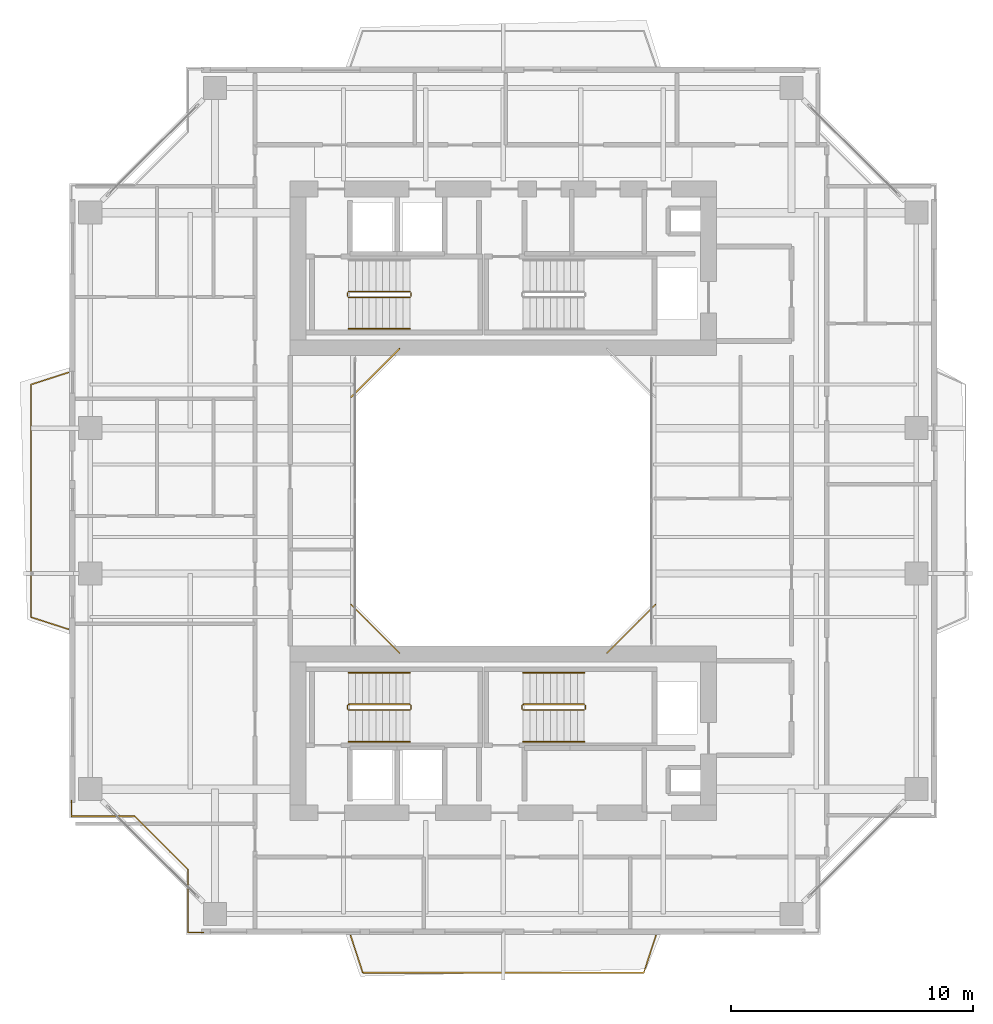
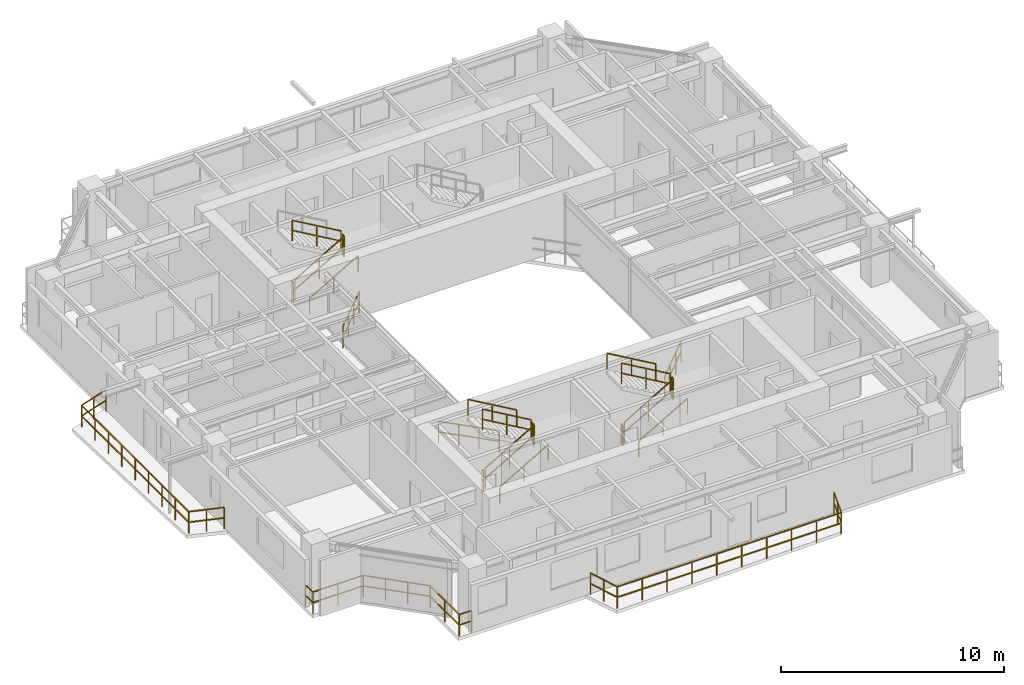
# One storey, part 16 of 18: 23 railings.
"""IFC4 building model written with IfcOpenShell, lengths in metres."""

from ifc_helpers import new_model, si_unit, direction, frame, origin, origin_2d, place, context, subcontext, project, spatial, rectangle, extrude, material, type_object, element, save


model = new_model("IFC4")

# Units and contexts
model_context = context("Model", 3, precision=1e-05, world=origin(), true_north=direction((0.0, 1.0)))
body_context = subcontext(model_context, "Body", "Model", "MODEL_VIEW")
ifc_project = project(units=[si_unit("LENGTHUNIT", "METRE"), si_unit("AREAUNIT", "SQUARE_METRE"), si_unit("VOLUMEUNIT", "CUBIC_METRE"), si_unit("PLANEANGLEUNIT", "RADIAN"), si_unit("MASSUNIT", "GRAM", prefix="KILO"), si_unit("THERMODYNAMICTEMPERATUREUNIT", "KELVIN"), si_unit("POWERUNIT", "WATT")], contexts=[model_context])

# Site, building, storey
site_placement = place(None, origin())
site = spatial("IfcSite", under=ifc_project, at=site_placement, CompositionType="ELEMENT")
building_placement = place(site_placement, origin())
building = spatial("IfcBuilding", under=site, at=building_placement, Name="Qiaomeng Ring Towers", CompositionType="ELEMENT")
storey_placement = place(building_placement, frame((0.0, 0.0, 147.0)))
storey = spatial("IfcBuildingStorey", under=building, at=storey_placement, Name="L42", CompositionType="ELEMENT", Elevation=147.0)

# Railings
ifc_material_1 = material(Name="Low-E pale-green laminated safety glass", Category="glass")
railing_type_1 = type_object("IfcRailingType", Name="ARC-RL-BAL1", PredefinedType="BALUSTRADE", material=ifc_material_1)
railing_1_placement = place(storey_placement, frame((23.280029296875, 16.719970703125, 0.0)))
element("IfcRailing", 1, at=railing_1_placement, inside=storey, type_object=railing_type_1, Name="L42 Balustrade ARC-BAL-WELL1-L42-1", PredefinedType="BALUSTRADE", context=body_context, shape_type="SweptSolid", body=[
    extrude(rectangle(XDim=0.048095703125, YDim=0.048095703125, at=origin_2d()), frame((0.0, 0.0, 1.17578125), z_axis=(0.707106781187, 0.707106781187, 0.0), x_axis=(-0.707106781187, 0.707106781187, 0.0)), (0.0, 0.0, 1.0), 2.828369140625),
    extrude(rectangle(XDim=0.048095703125, YDim=0.048095703125, at=origin_2d()), frame((0.0, 0.0, 0.60009765625), z_axis=(0.707106781187, 0.707106781187, 0.0), x_axis=(-0.707106781187, 0.707106781187, 0.0)), (0.0, 0.0, 1.0), 2.828369140625),
    extrude(rectangle(XDim=0.0419921875, YDim=0.0419921875, at=origin_2d()), origin(), (0.0, 0.0, 1.0), 1.15185546875),
    extrude(rectangle(XDim=0.0419921875, YDim=0.0419921875, at=origin_2d()), frame((0.666748046875, 0.666748046875, 0.0)), (0.0, 0.0, 1.0), 1.15185546875),
    extrude(rectangle(XDim=0.0419921875, YDim=0.0419921875, at=origin_2d()), frame((1.333251953125, 1.333251953125, 0.0)), (0.0, 0.0, 1.0), 1.15185546875),
    extrude(rectangle(XDim=0.0419921875, YDim=0.0419921875, at=origin_2d()), frame((2.0, 2.0, 0.0)), (0.0, 0.0, 1.0), 1.15185546875),
])
railing_2_placement = place(storey_placement, frame((14.719970703125, 29.280029296875, 0.0)))
element("IfcRailing", 2, at=railing_2_placement, inside=storey, type_object=railing_type_1, Name="L42 Balustrade ARC-BAL-WELL1-L42-3", PredefinedType="BALUSTRADE", context=body_context, shape_type="SweptSolid", body=[
    extrude(rectangle(XDim=0.048095703125, YDim=0.048095703125, at=origin_2d()), frame((0.0, 0.0, 1.17578125), z_axis=(-0.707106781187, -0.707106781187, 0.0), x_axis=(0.707106781187, -0.707106781187, 0.0)), (0.0, 0.0, 1.0), 2.828369140625),
    extrude(rectangle(XDim=0.048095703125, YDim=0.048095703125, at=origin_2d()), frame((0.0, 0.0, 0.60009765625), z_axis=(-0.707106781187, -0.707106781187, 0.0), x_axis=(0.707106781187, -0.707106781187, 0.0)), (0.0, 0.0, 1.0), 2.828369140625),
    extrude(rectangle(XDim=0.0419921875, YDim=0.0419921875, at=origin_2d()), origin(), (0.0, 0.0, 1.0), 1.15185546875),
    extrude(rectangle(XDim=0.0419921875, YDim=0.0419921875, at=origin_2d()), frame((-0.666748046875, -0.666748046875, 0.0)), (0.0, 0.0, 1.0), 1.15185546875),
    extrude(rectangle(XDim=0.0419921875, YDim=0.0419921875, at=origin_2d()), frame((-1.333251953125, -1.333251953125, 0.0)), (0.0, 0.0, 1.0), 1.15185546875),
    extrude(rectangle(XDim=0.0419921875, YDim=0.0419921875, at=origin_2d()), frame((-2.0, -2.0, 0.0)), (0.0, 0.0, 1.0), 1.15185546875),
])
railing_3_placement = place(storey_placement, frame((12.719970703125, 18.719970703125, 0.0)))
element("IfcRailing", 3, at=railing_3_placement, inside=storey, type_object=railing_type_1, Name="L42 Balustrade ARC-BAL-WELL1-L42-4", PredefinedType="BALUSTRADE", context=body_context, shape_type="SweptSolid", body=[
    extrude(rectangle(XDim=0.048095703125, YDim=0.048095703125, at=origin_2d()), frame((0.0, 0.0, 1.17578125), z_axis=(0.707106781187, -0.707106781187, 0.0), x_axis=(0.707106781187, 0.707106781187, 0.0)), (0.0, 0.0, 1.0), 2.828369140625),
    extrude(rectangle(XDim=0.048095703125, YDim=0.048095703125, at=origin_2d()), frame((0.0, 0.0, 0.60009765625), z_axis=(0.707106781187, -0.707106781187, 0.0), x_axis=(0.707106781187, 0.707106781187, 0.0)), (0.0, 0.0, 1.0), 2.828369140625),
    extrude(rectangle(XDim=0.0419921875, YDim=0.0419921875, at=origin_2d()), origin(), (0.0, 0.0, 1.0), 1.15185546875),
    extrude(rectangle(XDim=0.0419921875, YDim=0.0419921875, at=origin_2d()), frame((0.666748046875, -0.666748046875, 0.0)), (0.0, 0.0, 1.0), 1.15185546875),
    extrude(rectangle(XDim=0.0419921875, YDim=0.0419921875, at=origin_2d()), frame((1.333251953125, -1.333251953125, 0.0)), (0.0, 0.0, 1.0), 1.15185546875),
    extrude(rectangle(XDim=0.0419921875, YDim=0.0419921875, at=origin_2d()), frame((2.0, -2.0, 0.0)), (0.0, 0.0, 1.0), 1.15185546875),
])
railing_4_placement = place(storey_placement, frame((1.179931640625, 10.6298828125, 0.0)))
element("IfcRailing", 4, at=railing_4_placement, inside=storey, type_object=railing_type_1, Name="L42 Balustrade ARC-BAL-NOTCH1-L42-SW", PredefinedType="BALUSTRADE", context=body_context, shape_type="SweptSolid", body=[
    extrude(rectangle(XDim=0.048095703125, YDim=0.048095703125, at=origin_2d()), frame((0.0, 0.0, 1.17578125), z_axis=(0.0, -1.0, 0.0), x_axis=(1.0, 0.0, 0.0)), (0.0, 0.0, 1.0), 0.64990234375),
    extrude(rectangle(XDim=0.048095703125, YDim=0.048095703125, at=origin_2d()), frame((0.0, 0.0, 0.60009765625), z_axis=(0.0, -1.0, 0.0), x_axis=(1.0, 0.0, 0.0)), (0.0, 0.0, 1.0), 0.64990234375),
    extrude(rectangle(XDim=0.048095703125, YDim=0.048095703125, at=origin_2d()), frame((0.0, -0.64990234375, 1.17578125), z_axis=(1.0, 0.0, 0.0), x_axis=(0.0, 1.0, 0.0)), (0.0, 0.0, 1.0), 2.60009765625),
    extrude(rectangle(XDim=0.048095703125, YDim=0.048095703125, at=origin_2d()), frame((0.0, -0.64990234375, 0.60009765625), z_axis=(1.0, 0.0, 0.0), x_axis=(0.0, 1.0, 0.0)), (0.0, 0.0, 1.0), 2.60009765625),
    extrude(rectangle(XDim=0.048095703125, YDim=0.048095703125, at=origin_2d()), frame((2.60009765625, -0.64990234375, 1.17578125), z_axis=(0.707106781187, -0.707106781187, 0.0), x_axis=(0.707106781187, 0.707106781187, 0.0)), (0.0, 0.0, 1.0), 3.111083984375),
    extrude(rectangle(XDim=0.048095703125, YDim=0.048095703125, at=origin_2d()), frame((2.60009765625, -0.64990234375, 0.60009765625), z_axis=(0.707106781187, -0.707106781187, 0.0), x_axis=(0.707106781187, 0.707106781187, 0.0)), (0.0, 0.0, 1.0), 3.111083984375),
    extrude(rectangle(XDim=0.048095703125, YDim=0.048095703125, at=origin_2d()), frame((4.800048828125, -2.849853515625, 1.17578125), z_axis=(0.0, -1.0, 0.0), x_axis=(1.0, 0.0, 0.0)), (0.0, 0.0, 1.0), 2.60009765625),
    extrude(rectangle(XDim=0.048095703125, YDim=0.048095703125, at=origin_2d()), frame((4.800048828125, -2.849853515625, 0.60009765625), z_axis=(0.0, -1.0, 0.0), x_axis=(1.0, 0.0, 0.0)), (0.0, 0.0, 1.0), 2.60009765625),
    extrude(rectangle(XDim=0.048095703125, YDim=0.048095703125, at=origin_2d()), frame((4.800048828125, -5.449951171875, 1.17578125), z_axis=(1.0, 0.0, 0.0), x_axis=(0.0, 1.0, 0.0)), (0.0, 0.0, 1.0), 0.64990234375),
    extrude(rectangle(XDim=0.048095703125, YDim=0.048095703125, at=origin_2d()), frame((4.800048828125, -5.449951171875, 0.60009765625), z_axis=(1.0, 0.0, 0.0), x_axis=(0.0, 1.0, 0.0)), (0.0, 0.0, 1.0), 0.64990234375),
    extrude(rectangle(XDim=0.0419921875, YDim=0.0419921875, at=origin_2d()), origin(), (0.0, 0.0, 1.0), 1.15185546875),
    extrude(rectangle(XDim=0.0419921875, YDim=0.0419921875, at=origin_2d()), frame((0.0, -0.64990234375, 0.0)), (0.0, 0.0, 1.0), 1.15185546875),
    extrude(rectangle(XDim=0.0419921875, YDim=0.0419921875, at=origin_2d()), frame((1.300048828125, -0.64990234375, 0.0)), (0.0, 0.0, 1.0), 1.15185546875),
    extrude(rectangle(XDim=0.0419921875, YDim=0.0419921875, at=origin_2d()), frame((2.60009765625, -0.64990234375, 0.0)), (0.0, 0.0, 1.0), 1.15185546875),
    extrude(rectangle(XDim=0.0419921875, YDim=0.0419921875, at=origin_2d()), frame((3.33349609375, -1.38330078125, 0.0)), (0.0, 0.0, 1.0), 1.15185546875),
    extrude(rectangle(XDim=0.0419921875, YDim=0.0419921875, at=origin_2d()), frame((4.066650390625, -2.116455078125, 0.0)), (0.0, 0.0, 1.0), 1.15185546875),
    extrude(rectangle(XDim=0.0419921875, YDim=0.0419921875, at=origin_2d()), frame((4.800048828125, -2.849853515625, 0.0)), (0.0, 0.0, 1.0), 1.15185546875),
    extrude(rectangle(XDim=0.0419921875, YDim=0.0419921875, at=origin_2d()), frame((4.800048828125, -4.14990234375, 0.0)), (0.0, 0.0, 1.0), 1.15185546875),
    extrude(rectangle(XDim=0.0419921875, YDim=0.0419921875, at=origin_2d()), frame((4.800048828125, -5.449951171875, 0.0)), (0.0, 0.0, 1.0), 1.15185546875),
    extrude(rectangle(XDim=0.0419921875, YDim=0.0419921875, at=origin_2d()), frame((5.449951171875, -5.449951171875, 0.0)), (0.0, 0.0, 1.0), 1.15185546875),
])
railing_5_placement = place(storey_placement, frame((12.699951171875, 5.050048828125, 0.0)))
element("IfcRailing", 5, at=railing_5_placement, inside=storey, type_object=railing_type_1, Name="L42 Balustrade ARC-BAL-L42-T1-S", PredefinedType="BALUSTRADE", context=body_context, shape_type="SweptSolid", body=[
    extrude(rectangle(XDim=0.048095703125, YDim=0.048095703125, at=origin_2d()), frame((0.0, 0.0, 1.17578125), z_axis=(0.310625543041, -0.950532362421, 0.0), x_axis=(0.950532362421, 0.310625543041, 0.0)), (0.0, 0.0, 1.0), 1.609619140625),
    extrude(rectangle(XDim=0.048095703125, YDim=0.048095703125, at=origin_2d()), frame((0.0, 0.0, 0.60009765625), z_axis=(0.310625543041, -0.950532362421, 0.0), x_axis=(0.950532362421, 0.310625543041, 0.0)), (0.0, 0.0, 1.0), 1.609619140625),
    extrude(rectangle(XDim=0.048095703125, YDim=0.048095703125, at=origin_2d()), frame((0.5, -1.530029296875, 1.17578125), z_axis=(1.0, 0.0, 0.0), x_axis=(0.0, 1.0, 0.0)), (0.0, 0.0, 1.0), 11.60009765625),
    extrude(rectangle(XDim=0.048095703125, YDim=0.048095703125, at=origin_2d()), frame((0.5, -1.530029296875, 0.60009765625), z_axis=(1.0, 0.0, 0.0), x_axis=(0.0, 1.0, 0.0)), (0.0, 0.0, 1.0), 11.60009765625),
    extrude(rectangle(XDim=0.048095703125, YDim=0.048095703125, at=origin_2d()), frame((12.10009765625, -1.530029296875, 1.17578125), z_axis=(0.310625543041, 0.950532362421, 0.0), x_axis=(-0.950532362421, 0.310625543041, 0.0)), (0.0, 0.0, 1.0), 1.609619140625),
    extrude(rectangle(XDim=0.048095703125, YDim=0.048095703125, at=origin_2d()), frame((12.10009765625, -1.530029296875, 0.60009765625), z_axis=(0.310625543041, 0.950532362421, 0.0), x_axis=(-0.950532362421, 0.310625543041, 0.0)), (0.0, 0.0, 1.0), 1.609619140625),
    extrude(rectangle(XDim=0.0419921875, YDim=0.0419921875, at=origin_2d()), origin(), (0.0, 0.0, 1.0), 1.15185546875),
    extrude(rectangle(XDim=0.0419921875, YDim=0.0419921875, at=origin_2d()), frame((0.25, -0.76513671875, 0.0)), (0.0, 0.0, 1.0), 1.15185546875),
    extrude(rectangle(XDim=0.0419921875, YDim=0.0419921875, at=origin_2d()), frame((0.5, -1.530029296875, 0.0)), (0.0, 0.0, 1.0), 1.15185546875),
    extrude(rectangle(XDim=0.0419921875, YDim=0.0419921875, at=origin_2d()), frame((1.788818359375, -1.530029296875, 0.0)), (0.0, 0.0, 1.0), 1.15185546875),
    extrude(rectangle(XDim=0.0419921875, YDim=0.0419921875, at=origin_2d()), frame((3.077880859375, -1.530029296875, 0.0)), (0.0, 0.0, 1.0), 1.15185546875),
    extrude(rectangle(XDim=0.0419921875, YDim=0.0419921875, at=origin_2d()), frame((4.36669921875, -1.530029296875, 0.0)), (0.0, 0.0, 1.0), 1.15185546875),
    extrude(rectangle(XDim=0.0419921875, YDim=0.0419921875, at=origin_2d()), frame((5.655517578125, -1.530029296875, 0.0)), (0.0, 0.0, 1.0), 1.15185546875),
    extrude(rectangle(XDim=0.0419921875, YDim=0.0419921875, at=origin_2d()), frame((6.944580078125, -1.530029296875, 0.0)), (0.0, 0.0, 1.0), 1.15185546875),
    extrude(rectangle(XDim=0.0419921875, YDim=0.0419921875, at=origin_2d()), frame((8.2333984375, -1.530029296875, 0.0)), (0.0, 0.0, 1.0), 1.15185546875),
    extrude(rectangle(XDim=0.0419921875, YDim=0.0419921875, at=origin_2d()), frame((9.522216796875, -1.530029296875, 0.0)), (0.0, 0.0, 1.0), 1.15185546875),
    extrude(rectangle(XDim=0.0419921875, YDim=0.0419921875, at=origin_2d()), frame((10.811279296875, -1.530029296875, 0.0)), (0.0, 0.0, 1.0), 1.15185546875),
    extrude(rectangle(XDim=0.0419921875, YDim=0.0419921875, at=origin_2d()), frame((12.10009765625, -1.530029296875, 0.0)), (0.0, 0.0, 1.0), 1.15185546875),
    extrude(rectangle(XDim=0.0419921875, YDim=0.0419921875, at=origin_2d()), frame((12.35009765625, -0.76513671875, 0.0)), (0.0, 0.0, 1.0), 1.15185546875),
    extrude(rectangle(XDim=0.0419921875, YDim=0.0419921875, at=origin_2d()), frame((12.60009765625, 0.0, 0.0)), (0.0, 0.0, 1.0), 1.15185546875),
])
railing_6_placement = place(storey_placement, frame((1.050048828125, 17.699951171875, 0.0)))
element("IfcRailing", 6, at=railing_6_placement, inside=storey, type_object=railing_type_1, Name="L42 Balustrade ARC-BAL-L42-T1-W", PredefinedType="BALUSTRADE", context=body_context, shape_type="SweptSolid", body=[
    extrude(rectangle(XDim=0.048095703125, YDim=0.048095703125, at=origin_2d()), frame((0.0, 0.0, 1.17578125), z_axis=(-0.951711443346, 0.306994020471, 0.0), x_axis=(-0.306994020471, -0.951711443346, 0.0)), (0.0, 0.0, 1.0), 1.628662109375),
    extrude(rectangle(XDim=0.048095703125, YDim=0.048095703125, at=origin_2d()), frame((0.0, 0.0, 0.60009765625), z_axis=(-0.951711443346, 0.306994020471, 0.0), x_axis=(-0.306994020471, -0.951711443346, 0.0)), (0.0, 0.0, 1.0), 1.628662109375),
    extrude(rectangle(XDim=0.048095703125, YDim=0.048095703125, at=origin_2d()), frame((-1.550048828125, 0.5, 1.17578125), z_axis=(0.0, 1.0, 0.0), x_axis=(-1.0, 0.0, 0.0)), (0.0, 0.0, 1.0), 9.60009765625),
    extrude(rectangle(XDim=0.048095703125, YDim=0.048095703125, at=origin_2d()), frame((-1.550048828125, 0.5, 0.60009765625), z_axis=(0.0, 1.0, 0.0), x_axis=(-1.0, 0.0, 0.0)), (0.0, 0.0, 1.0), 9.60009765625),
    extrude(rectangle(XDim=0.048095703125, YDim=0.048095703125, at=origin_2d()), frame((-1.550048828125, 10.10009765625, 1.17578125), z_axis=(0.951711443346, 0.306994020471, 0.0), x_axis=(-0.306994020471, 0.951711443346, 0.0)), (0.0, 0.0, 1.0), 1.628662109375),
    extrude(rectangle(XDim=0.048095703125, YDim=0.048095703125, at=origin_2d()), frame((-1.550048828125, 10.10009765625, 0.60009765625), z_axis=(0.951711443346, 0.306994020471, 0.0), x_axis=(-0.306994020471, 0.951711443346, 0.0)), (0.0, 0.0, 1.0), 1.628662109375),
    extrude(rectangle(XDim=0.0419921875, YDim=0.0419921875, at=origin_2d()), origin(), (0.0, 0.0, 1.0), 1.15185546875),
    extrude(rectangle(XDim=0.0419921875, YDim=0.0419921875, at=origin_2d()), frame((-0.77490234375, 0.25, 0.0)), (0.0, 0.0, 1.0), 1.15185546875),
    extrude(rectangle(XDim=0.0419921875, YDim=0.0419921875, at=origin_2d()), frame((-1.550048828125, 0.5, 0.0)), (0.0, 0.0, 1.0), 1.15185546875),
    extrude(rectangle(XDim=0.0419921875, YDim=0.0419921875, at=origin_2d()), frame((-1.550048828125, 1.699951171875, 0.0)), (0.0, 0.0, 1.0), 1.15185546875),
    extrude(rectangle(XDim=0.0419921875, YDim=0.0419921875, at=origin_2d()), frame((-1.550048828125, 2.89990234375, 0.0)), (0.0, 0.0, 1.0), 1.15185546875),
    extrude(rectangle(XDim=0.0419921875, YDim=0.0419921875, at=origin_2d()), frame((-1.550048828125, 4.10009765625, 0.0)), (0.0, 0.0, 1.0), 1.15185546875),
    extrude(rectangle(XDim=0.0419921875, YDim=0.0419921875, at=origin_2d()), frame((-1.550048828125, 5.300048828125, 0.0)), (0.0, 0.0, 1.0), 1.15185546875),
    extrude(rectangle(XDim=0.0419921875, YDim=0.0419921875, at=origin_2d()), frame((-1.550048828125, 6.5, 0.0)), (0.0, 0.0, 1.0), 1.15185546875),
    extrude(rectangle(XDim=0.0419921875, YDim=0.0419921875, at=origin_2d()), frame((-1.550048828125, 7.7001953125, 0.0)), (0.0, 0.0, 1.0), 1.15185546875),
    extrude(rectangle(XDim=0.0419921875, YDim=0.0419921875, at=origin_2d()), frame((-1.550048828125, 8.900146484375, 0.0)), (0.0, 0.0, 1.0), 1.15185546875),
    extrude(rectangle(XDim=0.0419921875, YDim=0.0419921875, at=origin_2d()), frame((-1.550048828125, 10.10009765625, 0.0)), (0.0, 0.0, 1.0), 1.15185546875),
    extrude(rectangle(XDim=0.0419921875, YDim=0.0419921875, at=origin_2d()), frame((-0.77490234375, 10.35009765625, 0.0)), (0.0, 0.0, 1.0), 1.15185546875),
    extrude(rectangle(XDim=0.0419921875, YDim=0.0419921875, at=origin_2d()), frame((0.0, 10.60009765625, 0.0)), (0.0, 0.0, 1.0), 1.15185546875),
])
ifc_material_2 = material(Name="Galvanised steel", Category="steel")
railing_type_2 = type_object("IfcRailingType", Name="ARC-RL-GUARD", PredefinedType="GUARDRAIL", material=ifc_material_2)
railing_7_placement = place(storey_placement, frame((12.6201171875, 31.39990234375, 0.16259765625)))
element("IfcRailing", 7, at=railing_7_placement, inside=storey, type_object=railing_type_2, Name="L42 ST1 stair guard 1", PredefinedType="GUARDRAIL", context=body_context, shape_type="SweptSolid", body=[
    extrude(rectangle(XDim=0.048095703125, YDim=0.048095703125, at=origin_2d()), frame((0.0, 0.0, 1.1259765625), z_axis=(0.864892226395, 0.0, 0.501957604506), x_axis=(0.0, 1.0, 0.0)), (0.0, 0.0, 1.0), 2.913330078125),
    extrude(rectangle(XDim=0.048095703125, YDim=0.048095703125, at=origin_2d()), frame((0.0, 0.0, 0.574951171875), z_axis=(0.864892226395, 0.0, 0.501957604506), x_axis=(0.0, 1.0, 0.0)), (0.0, 0.0, 1.0), 2.913330078125),
    extrude(rectangle(XDim=0.0419921875, YDim=0.0419921875, at=origin_2d()), origin(), (0.0, 0.0, 1.0), 1.101806640625),
    extrude(rectangle(XDim=0.0419921875, YDim=0.0419921875, at=origin_2d()), frame((1.259765625, 0.0, 0.731201171875)), (0.0, 0.0, 1.0), 1.101806640625),
    extrude(rectangle(XDim=0.0419921875, YDim=0.0419921875, at=origin_2d()), frame((2.519775390625, 0.0, 1.46240234375)), (0.0, 0.0, 1.0), 1.101806640625),
])
railing_8_placement = place(storey_placement, frame((15.18994140625, 31.449951171875, 1.625)))
element("IfcRailing", 8, at=railing_8_placement, inside=storey, type_object=railing_type_2, Name="L42 ST1 stair guard 2", PredefinedType="GUARDRAIL", context=body_context, shape_type="SweptSolid", body=[
    extrude(rectangle(XDim=0.048095703125, YDim=0.048095703125, at=origin_2d()), frame((0.0, 0.0, 1.1259765625), z_axis=(0.0, 1.0, 0.0), x_axis=(-1.0, 0.0, 0.0)), (0.0, 0.0, 1.0), 0.14013671875),
    extrude(rectangle(XDim=0.048095703125, YDim=0.048095703125, at=origin_2d()), frame((0.0, 0.0, 0.574951171875), z_axis=(0.0, 1.0, 0.0), x_axis=(-1.0, 0.0, 0.0)), (0.0, 0.0, 1.0), 0.14013671875),
    extrude(rectangle(XDim=0.0419921875, YDim=0.0419921875, at=origin_2d()), origin(), (0.0, 0.0, 1.0), 1.101806640625),
    extrude(rectangle(XDim=0.0419921875, YDim=0.0419921875, at=origin_2d()), frame((0.0, 0.14013671875, 0.0)), (0.0, 0.0, 1.0), 1.101806640625),
])
railing_9_placement = place(storey_placement, frame((15.139892578125, 31.639892578125, 1.78759765625)))
element("IfcRailing", 9, at=railing_9_placement, inside=storey, type_object=railing_type_2, Name="L42 ST1 stair guard 3", PredefinedType="GUARDRAIL", context=body_context, shape_type="SweptSolid", body=[
    extrude(rectangle(XDim=0.048095703125, YDim=0.048095703125, at=origin_2d()), frame((0.0, 0.0, 1.1259765625), z_axis=(-0.864892226395, 0.0, 0.501957604506), x_axis=(0.0, -1.0, 0.0)), (0.0, 0.0, 1.0), 2.913330078125),
    extrude(rectangle(XDim=0.048095703125, YDim=0.048095703125, at=origin_2d()), frame((0.0, 0.0, 0.574951171875), z_axis=(-0.864892226395, 0.0, 0.501957604506), x_axis=(0.0, -1.0, 0.0)), (0.0, 0.0, 1.0), 2.913330078125),
    extrude(rectangle(XDim=0.0419921875, YDim=0.0419921875, at=origin_2d()), origin(), (0.0, 0.0, 1.0), 1.101806640625),
    extrude(rectangle(XDim=0.0419921875, YDim=0.0419921875, at=origin_2d()), frame((-1.259765625, 0.0, 0.731201171875)), (0.0, 0.0, 1.0), 1.101806640625),
    extrude(rectangle(XDim=0.0419921875, YDim=0.0419921875, at=origin_2d()), frame((-2.519775390625, 0.0, 1.46240234375)), (0.0, 0.0, 1.0), 1.101806640625),
])
railing_10_placement = place(storey_placement, frame((12.570068359375, 31.449951171875, 0.0)))
element("IfcRailing", 10, at=railing_10_placement, inside=storey, type_object=railing_type_2, Name="L42 ST1 stair guard 4", PredefinedType="GUARDRAIL", context=body_context, shape_type="SweptSolid", body=[
    extrude(rectangle(XDim=0.048095703125, YDim=0.048095703125, at=origin_2d()), frame((0.0, 0.0, 1.1259765625), z_axis=(0.0, 1.0, 0.0), x_axis=(-1.0, 0.0, 0.0)), (0.0, 0.0, 1.0), 0.14013671875),
    extrude(rectangle(XDim=0.048095703125, YDim=0.048095703125, at=origin_2d()), frame((0.0, 0.0, 0.574951171875), z_axis=(0.0, 1.0, 0.0), x_axis=(-1.0, 0.0, 0.0)), (0.0, 0.0, 1.0), 0.14013671875),
    extrude(rectangle(XDim=0.0419921875, YDim=0.0419921875, at=origin_2d()), origin(), (0.0, 0.0, 1.0), 1.101806640625),
    extrude(rectangle(XDim=0.0419921875, YDim=0.0419921875, at=origin_2d()), frame((0.0, 0.14013671875, 0.0)), (0.0, 0.0, 1.0), 1.101806640625),
])
railing_11_placement = place(storey_placement, frame((12.6201171875, 14.360107421875, 0.16259765625)))
element("IfcRailing", 11, at=railing_11_placement, inside=storey, type_object=railing_type_2, Name="L42 ST3 stair guard 1", PredefinedType="GUARDRAIL", context=body_context, shape_type="SweptSolid", body=[
    extrude(rectangle(XDim=0.048095703125, YDim=0.048095703125, at=origin_2d()), frame((0.0, 0.0, 1.1259765625), z_axis=(0.864892226395, 0.0, 0.501957604506), x_axis=(0.0, 1.0, 0.0)), (0.0, 0.0, 1.0), 2.913330078125),
    extrude(rectangle(XDim=0.048095703125, YDim=0.048095703125, at=origin_2d()), frame((0.0, 0.0, 0.574951171875), z_axis=(0.864892226395, 0.0, 0.501957604506), x_axis=(0.0, 1.0, 0.0)), (0.0, 0.0, 1.0), 2.913330078125),
    extrude(rectangle(XDim=0.0419921875, YDim=0.0419921875, at=origin_2d()), origin(), (0.0, 0.0, 1.0), 1.101806640625),
    extrude(rectangle(XDim=0.0419921875, YDim=0.0419921875, at=origin_2d()), frame((1.259765625, 0.0, 0.731201171875)), (0.0, 0.0, 1.0), 1.101806640625),
    extrude(rectangle(XDim=0.0419921875, YDim=0.0419921875, at=origin_2d()), frame((2.519775390625, 0.0, 1.46240234375)), (0.0, 0.0, 1.0), 1.101806640625),
])
railing_12_placement = place(storey_placement, frame((15.18994140625, 14.409912109375, 1.625)))
element("IfcRailing", 12, at=railing_12_placement, inside=storey, type_object=railing_type_2, Name="L42 ST3 stair guard 2", PredefinedType="GUARDRAIL", context=body_context, shape_type="SweptSolid", body=[
    extrude(rectangle(XDim=0.048095703125, YDim=0.048095703125, at=origin_2d()), frame((0.0, 0.0, 1.1259765625), z_axis=(0.0, 1.0, 0.0), x_axis=(-1.0, 0.0, 0.0)), (0.0, 0.0, 1.0), 0.14013671875),
    extrude(rectangle(XDim=0.048095703125, YDim=0.048095703125, at=origin_2d()), frame((0.0, 0.0, 0.574951171875), z_axis=(0.0, 1.0, 0.0), x_axis=(-1.0, 0.0, 0.0)), (0.0, 0.0, 1.0), 0.14013671875),
    extrude(rectangle(XDim=0.0419921875, YDim=0.0419921875, at=origin_2d()), origin(), (0.0, 0.0, 1.0), 1.101806640625),
    extrude(rectangle(XDim=0.0419921875, YDim=0.0419921875, at=origin_2d()), frame((0.0, 0.14013671875, 0.0)), (0.0, 0.0, 1.0), 1.101806640625),
])
railing_13_placement = place(storey_placement, frame((15.139892578125, 14.60009765625, 1.78759765625)))
element("IfcRailing", 13, at=railing_13_placement, inside=storey, type_object=railing_type_2, Name="L42 ST3 stair guard 3", PredefinedType="GUARDRAIL", context=body_context, shape_type="SweptSolid", body=[
    extrude(rectangle(XDim=0.048095703125, YDim=0.048095703125, at=origin_2d()), frame((0.0, 0.0, 1.1259765625), z_axis=(-0.864892226395, 0.0, 0.501957604506), x_axis=(0.0, -1.0, 0.0)), (0.0, 0.0, 1.0), 2.913330078125),
    extrude(rectangle(XDim=0.048095703125, YDim=0.048095703125, at=origin_2d()), frame((0.0, 0.0, 0.574951171875), z_axis=(-0.864892226395, 0.0, 0.501957604506), x_axis=(0.0, -1.0, 0.0)), (0.0, 0.0, 1.0), 2.913330078125),
    extrude(rectangle(XDim=0.0419921875, YDim=0.0419921875, at=origin_2d()), origin(), (0.0, 0.0, 1.0), 1.101806640625),
    extrude(rectangle(XDim=0.0419921875, YDim=0.0419921875, at=origin_2d()), frame((-1.259765625, 0.0, 0.731201171875)), (0.0, 0.0, 1.0), 1.101806640625),
    extrude(rectangle(XDim=0.0419921875, YDim=0.0419921875, at=origin_2d()), frame((-2.519775390625, 0.0, 1.46240234375)), (0.0, 0.0, 1.0), 1.101806640625),
])
railing_14_placement = place(storey_placement, frame((12.570068359375, 14.409912109375, 0.0)))
element("IfcRailing", 14, at=railing_14_placement, inside=storey, type_object=railing_type_2, Name="L42 ST3 stair guard 4", PredefinedType="GUARDRAIL", context=body_context, shape_type="SweptSolid", body=[
    extrude(rectangle(XDim=0.048095703125, YDim=0.048095703125, at=origin_2d()), frame((0.0, 0.0, 1.1259765625), z_axis=(0.0, 1.0, 0.0), x_axis=(-1.0, 0.0, 0.0)), (0.0, 0.0, 1.0), 0.14013671875),
    extrude(rectangle(XDim=0.048095703125, YDim=0.048095703125, at=origin_2d()), frame((0.0, 0.0, 0.574951171875), z_axis=(0.0, 1.0, 0.0), x_axis=(-1.0, 0.0, 0.0)), (0.0, 0.0, 1.0), 0.14013671875),
    extrude(rectangle(XDim=0.0419921875, YDim=0.0419921875, at=origin_2d()), origin(), (0.0, 0.0, 1.0), 1.101806640625),
    extrude(rectangle(XDim=0.0419921875, YDim=0.0419921875, at=origin_2d()), frame((0.0, 0.14013671875, 0.0)), (0.0, 0.0, 1.0), 1.101806640625),
])
railing_15_placement = place(storey_placement, frame((19.820068359375, 14.360107421875, 0.16259765625)))
element("IfcRailing", 15, at=railing_15_placement, inside=storey, type_object=railing_type_2, Name="L42 ST4 stair guard 1", PredefinedType="GUARDRAIL", context=body_context, shape_type="SweptSolid", body=[
    extrude(rectangle(XDim=0.048095703125, YDim=0.048095703125, at=origin_2d()), frame((0.0, 0.0, 1.1259765625), z_axis=(0.864913338283, 0.0, 0.50192122615), x_axis=(0.0, 1.0, 0.0)), (0.0, 0.0, 1.0), 2.91357421875),
    extrude(rectangle(XDim=0.048095703125, YDim=0.048095703125, at=origin_2d()), frame((0.0, 0.0, 0.574951171875), z_axis=(0.864913338283, 0.0, 0.50192122615), x_axis=(0.0, 1.0, 0.0)), (0.0, 0.0, 1.0), 2.91357421875),
    extrude(rectangle(XDim=0.0419921875, YDim=0.0419921875, at=origin_2d()), origin(), (0.0, 0.0, 1.0), 1.101806640625),
    extrude(rectangle(XDim=0.0419921875, YDim=0.0419921875, at=origin_2d()), frame((1.260009765625, 0.0, 0.731201171875)), (0.0, 0.0, 1.0), 1.101806640625),
    extrude(rectangle(XDim=0.0419921875, YDim=0.0419921875, at=origin_2d()), frame((2.52001953125, 0.0, 1.46240234375)), (0.0, 0.0, 1.0), 1.101806640625),
])
railing_16_placement = place(storey_placement, frame((22.389892578125, 14.409912109375, 1.625)))
element("IfcRailing", 16, at=railing_16_placement, inside=storey, type_object=railing_type_2, Name="L42 ST4 stair guard 2", PredefinedType="GUARDRAIL", context=body_context, shape_type="SweptSolid", body=[
    extrude(rectangle(XDim=0.048095703125, YDim=0.048095703125, at=origin_2d()), frame((0.0, 0.0, 1.1259765625), z_axis=(0.0, 1.0, 0.0), x_axis=(-1.0, 0.0, 0.0)), (0.0, 0.0, 1.0), 0.14013671875),
    extrude(rectangle(XDim=0.048095703125, YDim=0.048095703125, at=origin_2d()), frame((0.0, 0.0, 0.574951171875), z_axis=(0.0, 1.0, 0.0), x_axis=(-1.0, 0.0, 0.0)), (0.0, 0.0, 1.0), 0.14013671875),
    extrude(rectangle(XDim=0.0419921875, YDim=0.0419921875, at=origin_2d()), origin(), (0.0, 0.0, 1.0), 1.101806640625),
    extrude(rectangle(XDim=0.0419921875, YDim=0.0419921875, at=origin_2d()), frame((0.0, 0.14013671875, 0.0)), (0.0, 0.0, 1.0), 1.101806640625),
])
railing_17_placement = place(storey_placement, frame((22.340087890625, 14.60009765625, 1.78759765625)))
element("IfcRailing", 17, at=railing_17_placement, inside=storey, type_object=railing_type_2, Name="L42 ST4 stair guard 3", PredefinedType="GUARDRAIL", context=body_context, shape_type="SweptSolid", body=[
    extrude(rectangle(XDim=0.048095703125, YDim=0.048095703125, at=origin_2d()), frame((0.0, 0.0, 1.1259765625), z_axis=(-0.864913338283, 0.0, 0.50192122615), x_axis=(0.0, -1.0, 0.0)), (0.0, 0.0, 1.0), 2.91357421875),
    extrude(rectangle(XDim=0.048095703125, YDim=0.048095703125, at=origin_2d()), frame((0.0, 0.0, 0.574951171875), z_axis=(-0.864913338283, 0.0, 0.50192122615), x_axis=(0.0, -1.0, 0.0)), (0.0, 0.0, 1.0), 2.91357421875),
    extrude(rectangle(XDim=0.0419921875, YDim=0.0419921875, at=origin_2d()), origin(), (0.0, 0.0, 1.0), 1.101806640625),
    extrude(rectangle(XDim=0.0419921875, YDim=0.0419921875, at=origin_2d()), frame((-1.260009765625, 0.0, 0.731201171875)), (0.0, 0.0, 1.0), 1.101806640625),
    extrude(rectangle(XDim=0.0419921875, YDim=0.0419921875, at=origin_2d()), frame((-2.52001953125, 0.0, 1.46240234375)), (0.0, 0.0, 1.0), 1.101806640625),
])
railing_18_placement = place(storey_placement, frame((19.77001953125, 14.409912109375, 0.0)))
element("IfcRailing", 18, at=railing_18_placement, inside=storey, type_object=railing_type_2, Name="L42 ST4 stair guard 4", PredefinedType="GUARDRAIL", context=body_context, shape_type="SweptSolid", body=[
    extrude(rectangle(XDim=0.048095703125, YDim=0.048095703125, at=origin_2d()), frame((0.0, 0.0, 1.1259765625), z_axis=(0.0, 1.0, 0.0), x_axis=(-1.0, 0.0, 0.0)), (0.0, 0.0, 1.0), 0.14013671875),
    extrude(rectangle(XDim=0.048095703125, YDim=0.048095703125, at=origin_2d()), frame((0.0, 0.0, 0.574951171875), z_axis=(0.0, 1.0, 0.0), x_axis=(-1.0, 0.0, 0.0)), (0.0, 0.0, 1.0), 0.14013671875),
    extrude(rectangle(XDim=0.0419921875, YDim=0.0419921875, at=origin_2d()), origin(), (0.0, 0.0, 1.0), 1.101806640625),
    extrude(rectangle(XDim=0.0419921875, YDim=0.0419921875, at=origin_2d()), frame((0.0, 0.14013671875, 0.0)), (0.0, 0.0, 1.0), 1.101806640625),
])
ifc_material_3 = material(Name="Stainless steel 316", Category="steel")
railing_type_3 = type_object("IfcRailingType", Name="ARC-RL-HAND", PredefinedType="HANDRAIL", material=ifc_material_3)
for number, where, name in (
    (19, (12.6201171875, 30.10009765625, 0.16259765625), "L42 ST1 stair handrail 1"),
    (20, (12.6201171875, 13.06005859375, 0.16259765625), "L42 ST3 stair handrail 1"),
):
    element("IfcRailing", number, at=place(storey_placement, frame(where)), inside=storey, type_object=railing_type_3, Name=name, PredefinedType="HANDRAIL", context=body_context, shape_type="SweptSolid", body=[
        extrude(rectangle(XDim=0.048095703125, YDim=0.048095703125, at=origin_2d()), frame((0.0, 0.0, 0.8759765625), z_axis=(0.864892226395, 0.0, 0.501957604506), x_axis=(0.0, 1.0, 0.0)), (0.0, 0.0, 1.0), 2.913330078125),
        extrude(rectangle(XDim=0.0419921875, YDim=0.0419921875, at=origin_2d()), origin(), (0.0, 0.0, 1.0), 0.851806640625),
        extrude(rectangle(XDim=0.0419921875, YDim=0.0419921875, at=origin_2d()), frame((1.259765625, 0.0, 0.731201171875)), (0.0, 0.0, 1.0), 0.851806640625),
        extrude(rectangle(XDim=0.0419921875, YDim=0.0419921875, at=origin_2d()), frame((2.519775390625, 0.0, 1.46240234375)), (0.0, 0.0, 1.0), 0.851806640625),
    ])
railing_19_placement = place(storey_placement, frame((15.139892578125, 15.89990234375, 1.78759765625)))
element("IfcRailing", 21, at=railing_19_placement, inside=storey, type_object=railing_type_3, Name="L42 ST3 stair handrail 2", PredefinedType="HANDRAIL", context=body_context, shape_type="SweptSolid", body=[
    extrude(rectangle(XDim=0.048095703125, YDim=0.048095703125, at=origin_2d()), frame((0.0, 0.0, 0.8759765625), z_axis=(-0.864892226395, 0.0, 0.501957604506), x_axis=(0.0, -1.0, 0.0)), (0.0, 0.0, 1.0), 2.913330078125),
    extrude(rectangle(XDim=0.0419921875, YDim=0.0419921875, at=origin_2d()), origin(), (0.0, 0.0, 1.0), 0.851806640625),
    extrude(rectangle(XDim=0.0419921875, YDim=0.0419921875, at=origin_2d()), frame((-1.259765625, 0.0, 0.731201171875)), (0.0, 0.0, 1.0), 0.851806640625),
    extrude(rectangle(XDim=0.0419921875, YDim=0.0419921875, at=origin_2d()), frame((-2.519775390625, 0.0, 1.46240234375)), (0.0, 0.0, 1.0), 0.851806640625),
])
railing_20_placement = place(storey_placement, frame((19.820068359375, 13.06005859375, 0.16259765625)))
element("IfcRailing", 22, at=railing_20_placement, inside=storey, type_object=railing_type_3, Name="L42 ST4 stair handrail 1", PredefinedType="HANDRAIL", context=body_context, shape_type="SweptSolid", body=[
    extrude(rectangle(XDim=0.048095703125, YDim=0.048095703125, at=origin_2d()), frame((0.0, 0.0, 0.8759765625), z_axis=(0.864913338283, 0.0, 0.50192122615), x_axis=(0.0, 1.0, 0.0)), (0.0, 0.0, 1.0), 2.91357421875),
    extrude(rectangle(XDim=0.0419921875, YDim=0.0419921875, at=origin_2d()), origin(), (0.0, 0.0, 1.0), 0.851806640625),
    extrude(rectangle(XDim=0.0419921875, YDim=0.0419921875, at=origin_2d()), frame((1.260009765625, 0.0, 0.731201171875)), (0.0, 0.0, 1.0), 0.851806640625),
    extrude(rectangle(XDim=0.0419921875, YDim=0.0419921875, at=origin_2d()), frame((2.52001953125, 0.0, 1.46240234375)), (0.0, 0.0, 1.0), 0.851806640625),
])
railing_21_placement = place(storey_placement, frame((22.340087890625, 15.89990234375, 1.78759765625)))
element("IfcRailing", 23, at=railing_21_placement, inside=storey, type_object=railing_type_3, Name="L42 ST4 stair handrail 2", PredefinedType="HANDRAIL", context=body_context, shape_type="SweptSolid", body=[
    extrude(rectangle(XDim=0.048095703125, YDim=0.048095703125, at=origin_2d()), frame((0.0, 0.0, 0.8759765625), z_axis=(-0.864913338283, 0.0, 0.50192122615), x_axis=(0.0, -1.0, 0.0)), (0.0, 0.0, 1.0), 2.91357421875),
    extrude(rectangle(XDim=0.0419921875, YDim=0.0419921875, at=origin_2d()), origin(), (0.0, 0.0, 1.0), 0.851806640625),
    extrude(rectangle(XDim=0.0419921875, YDim=0.0419921875, at=origin_2d()), frame((-1.260009765625, 0.0, 0.731201171875)), (0.0, 0.0, 1.0), 0.851806640625),
    extrude(rectangle(XDim=0.0419921875, YDim=0.0419921875, at=origin_2d()), frame((-2.52001953125, 0.0, 1.46240234375)), (0.0, 0.0, 1.0), 0.851806640625),
])

save(model, "model.ifc")
